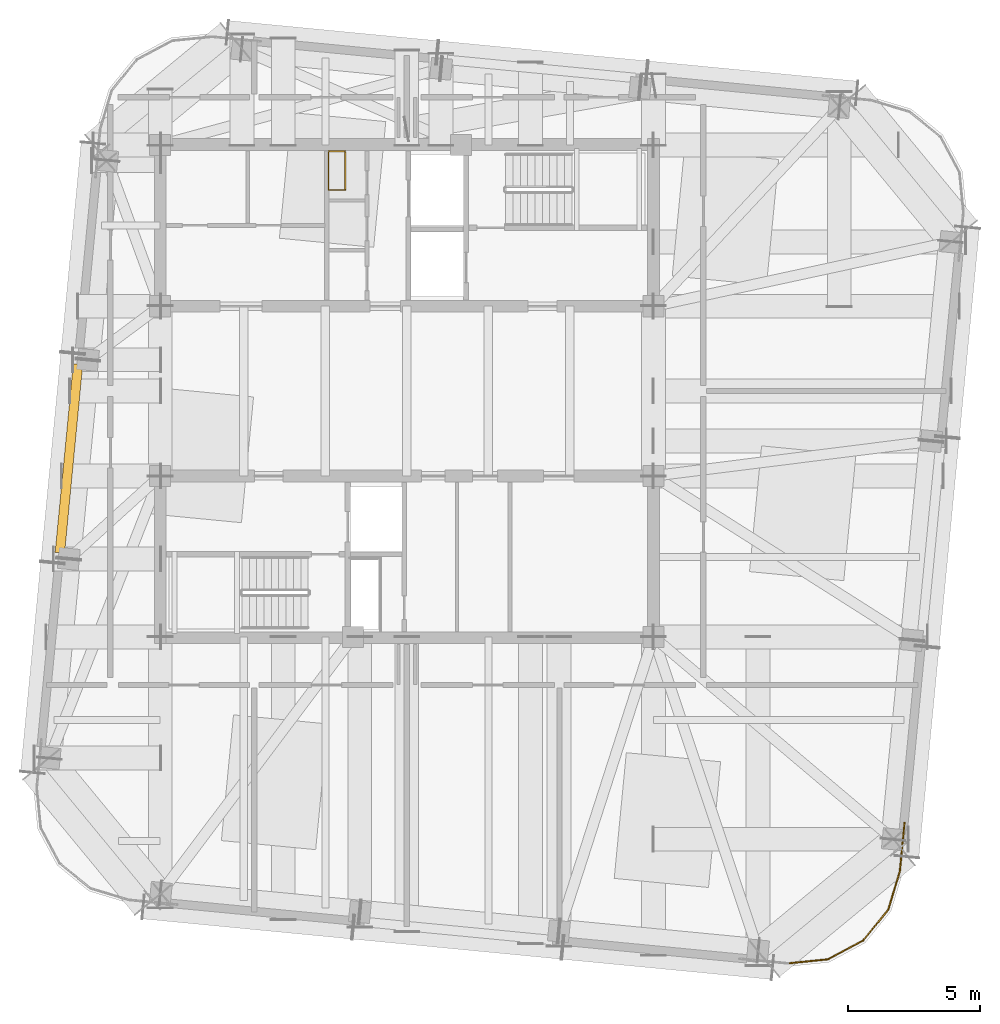
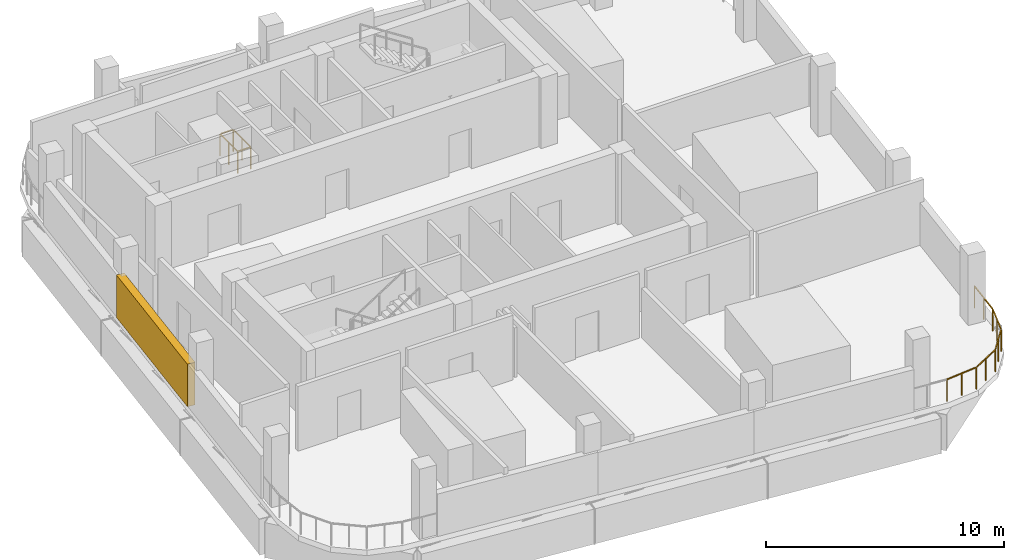
# One storey, part 8 of 10: 2 railings, 1 shading device.
"""IFC4 building model written with IfcOpenShell, lengths in metres."""

from ifc_helpers import new_model, si_unit, direction, frame, origin, origin_2d, place, context, subcontext, project, spatial, rectangle, extrude, material, type_object, element, save


model = new_model("IFC4")

# Units and contexts
model_context = context("Model", 3, precision=1e-05, world=origin(), true_north=direction((0.0, 1.0)))
body_context = subcontext(model_context, "Body", "Model", "MODEL_VIEW")
ifc_project = project(units=[si_unit("LENGTHUNIT", "METRE"), si_unit("AREAUNIT", "SQUARE_METRE"), si_unit("VOLUMEUNIT", "CUBIC_METRE"), si_unit("PLANEANGLEUNIT", "RADIAN"), si_unit("MASSUNIT", "GRAM", prefix="KILO")], contexts=[model_context])

# Site, building, storey
site_placement = place(None, origin())
site = spatial("IfcSite", under=ifc_project, at=site_placement, CompositionType="ELEMENT")
building_placement = place(site_placement, origin())
building = spatial("IfcBuilding", under=site, at=building_placement, Name="Qhalaya Broadcast Tower", CompositionType="ELEMENT")
storey_placement = place(building_placement, frame((0.0, 0.0, 289.25)))
storey = spatial("IfcBuildingStorey", under=building, at=storey_placement, Name="L85", CompositionType="ELEMENT", Elevation=289.25)

# Shading device
ifc_material_1 = material(Name="Fired Architectural Terracotta", Category="masonry")
shading_device_type = type_object("IfcShadingDeviceType", Name="Plant & Turbine-Slot Acoustic Louvre Screen LVS-01", PredefinedType="USERDEFINED", material=ifc_material_1)
shading_device_placement = place(storey_placement, frame((-12.84423828125, -1.96240234375, 0.0), z_axis=(0.0, 0.0, 1.0), x_axis=(0.09584575252, 0.995396198367, 0.0)))
element("IfcShadingDevice", 1, at=shading_device_placement, inside=storey, type_object=shading_device_type, Name="L85 Plant Acoustic Louvre Screen W", ObjectType="LOUVRE", PredefinedType="USERDEFINED", context=body_context, shape_type="SweptSolid", body=[
    extrude(rectangle(XDim=7.199951171875, YDim=0.360107421875, at=origin_2d()), origin(), (0.0, 0.0, 1.0), 2.181884765625),
])

# Railings
ifc_material_2 = material(Name="Powder-Coated Galvanised Steel", Category="steel")
railing_type_1 = type_object("IfcRailingType", Name="Stair Well & Landing Guardrail 1100", PredefinedType="GUARDRAIL", material=ifc_material_2)
railing_1_placement = place(storey_placement, frame((-2.340087890625, 8.239990234375, 0.0)))
element("IfcRailing", 2, at=railing_1_placement, inside=storey, type_object=railing_type_1, Name="L85 Service Riser Opening Safety Guard NRSR", PredefinedType="GUARDRAIL", context=body_context, shape_type="SweptSolid", body=[
    extrude(rectangle(XDim=0.048095703125, YDim=0.048095703125, at=origin_2d()), frame((0.0, 0.02880859375, 1.1259765625), z_axis=(0.0, 1.0, 0.0), x_axis=(-1.0, 0.0, 0.0)), (0.0, 0.0, 1.0), 1.42236328125),
    extrude(rectangle(XDim=0.048095703125, YDim=0.048095703125, at=origin_2d()), frame((-0.02880859375, 1.47998046875, 1.1259765625), z_axis=(-1.0, 0.0, 0.0), x_axis=(0.0, -1.0, 0.0)), (0.0, 0.0, 1.0), 0.582275390625),
    extrude(rectangle(XDim=0.048095703125, YDim=0.048095703125, at=origin_2d()), frame((-0.639892578125, 1.451171875, 1.1259765625), z_axis=(0.0, -1.0, 0.0), x_axis=(1.0, 0.0, 0.0)), (0.0, 0.0, 1.0), 1.42236328125),
    extrude(rectangle(XDim=0.048095703125, YDim=0.048095703125, at=origin_2d()), frame((-0.611083984375, 0.0, 1.1259765625), z_axis=(1.0, 0.0, 0.0), x_axis=(0.0, 1.0, 0.0)), (0.0, 0.0, 1.0), 0.582275390625),
    extrude(rectangle(XDim=0.0419921875, YDim=0.0419921875, at=origin_2d()), origin(), (0.0, 0.0, 1.0), 1.099853515625),
    extrude(rectangle(XDim=0.0419921875, YDim=0.0419921875, at=origin_2d()), frame((0.0, 0.739990234375, 0.0)), (0.0, 0.0, 1.0), 1.099853515625),
    extrude(rectangle(XDim=0.0419921875, YDim=0.0419921875, at=origin_2d()), frame((0.0, 1.47998046875, 0.0)), (0.0, 0.0, 1.0), 1.099853515625),
    extrude(rectangle(XDim=0.0419921875, YDim=0.0419921875, at=origin_2d()), frame((-0.639892578125, 1.47998046875, 0.0)), (0.0, 0.0, 1.0), 1.099853515625),
    extrude(rectangle(XDim=0.0419921875, YDim=0.0419921875, at=origin_2d()), frame((-0.639892578125, 0.739990234375, 0.0)), (0.0, 0.0, 1.0), 1.099853515625),
    extrude(rectangle(XDim=0.0419921875, YDim=0.0419921875, at=origin_2d()), frame((-0.639892578125, 0.0, 0.0)), (0.0, 0.0, 1.0), 1.099853515625),
])
railing_type_2 = type_object("IfcRailingType", Name="Terrace, Sky-Pool & Lookout Glass Balustrade 1150", PredefinedType="BALUSTRADE", material=ifc_material_2)
railing_2_placement = place(storey_placement, frame((18.91552734375, -15.802001953125, 0.0)))
element("IfcRailing", 3, at=railing_2_placement, inside=storey, type_object=railing_type_2, Name="L85 Rounded Corner Perimeter Guard 05", PredefinedType="BALUSTRADE", context=body_context, shape_type="SweptSolid", body=[
    extrude(rectangle(XDim=0.048095703125, YDim=0.048095703125, at=origin_2d()), frame((0.0, 0.0, 1.1259765625), z_axis=(-0.095882825813, -0.995392627918, 0.0), x_axis=(0.995392627918, -0.095882825813, 0.0)), (0.0, 0.0, 1.0), 1.827392578125),
    extrude(rectangle(XDim=0.048095703125, YDim=0.048095703125, at=origin_2d()), frame((-0.186279296875, -1.875244140625, 1.1259765625), z_axis=(-0.288140835244, -0.957588042461, 0.0), x_axis=(0.957588042461, -0.288140835244, 0.0)), (0.0, 0.0, 1.0), 1.467529296875),
    extrude(rectangle(XDim=0.048095703125, YDim=0.048095703125, at=origin_2d()), frame((-0.6357421875, -3.33056640625, 1.1259765625), z_axis=(-0.632710412611, -0.774388490212, 0.0), x_axis=(0.774388490212, -0.632710412611, 0.0)), (0.0, 0.0, 1.0), 1.455322265625),
    extrude(rectangle(XDim=0.048095703125, YDim=0.048095703125, at=origin_2d()), frame((-1.60009765625, -4.493408203125, 1.1259765625), z_axis=(-0.880905977395, -0.473291304579, 0.0), x_axis=(0.473291304579, -0.880905977395, 0.0)), (0.0, 0.0, 1.0), 1.455322265625),
    extrude(rectangle(XDim=0.048095703125, YDim=0.048095703125, at=origin_2d()), frame((-2.936279296875, -5.19873046875, 1.1259765625), z_axis=(-0.994965606883, -0.100216970219, 0.0), x_axis=(0.100216970219, -0.994965606883, 0.0)), (0.0, 0.0, 1.0), 1.49609375),
    extrude(rectangle(XDim=0.0419921875, YDim=0.0419921875, at=origin_2d()), origin(), (0.0, 0.0, 1.0), 1.099853515625),
    extrude(rectangle(XDim=0.0419921875, YDim=0.0419921875, at=origin_2d()), frame((-0.0888671875, -0.923828125, 0.0)), (0.0, 0.0, 1.0), 1.099853515625),
    extrude(rectangle(XDim=0.0419921875, YDim=0.0419921875, at=origin_2d()), frame((-0.177978515625, -1.84765625, 0.0)), (0.0, 0.0, 1.0), 1.099853515625),
    extrude(rectangle(XDim=0.0419921875, YDim=0.0419921875, at=origin_2d()), frame((-0.397705078125, -2.577880859375, 0.0)), (0.0, 0.0, 1.0), 1.099853515625),
    extrude(rectangle(XDim=0.0419921875, YDim=0.0419921875, at=origin_2d()), frame((-0.617431640625, -3.30810546875, 0.0)), (0.0, 0.0, 1.0), 1.099853515625),
    extrude(rectangle(XDim=0.0419921875, YDim=0.0419921875, at=origin_2d()), frame((-1.09619140625, -3.89404296875, 0.0)), (0.0, 0.0, 1.0), 1.099853515625),
    extrude(rectangle(XDim=0.0419921875, YDim=0.0419921875, at=origin_2d()), frame((-1.57470703125, -4.479736328125, 0.0)), (0.0, 0.0, 1.0), 1.099853515625),
    extrude(rectangle(XDim=0.0419921875, YDim=0.0419921875, at=origin_2d()), frame((-2.2412109375, -4.837890625, 0.0)), (0.0, 0.0, 1.0), 1.099853515625),
    extrude(rectangle(XDim=0.0419921875, YDim=0.0419921875, at=origin_2d()), frame((-2.907470703125, -5.19580078125, 0.0)), (0.0, 0.0, 1.0), 1.099853515625),
    extrude(rectangle(XDim=0.0419921875, YDim=0.0419921875, at=origin_2d()), frame((-3.666015625, -5.272216796875, 0.0)), (0.0, 0.0, 1.0), 1.099853515625),
    extrude(rectangle(XDim=0.0419921875, YDim=0.0419921875, at=origin_2d()), frame((-4.4248046875, -5.3486328125, 0.0)), (0.0, 0.0, 1.0), 1.099853515625),
])

save(model, "model.ifc")
